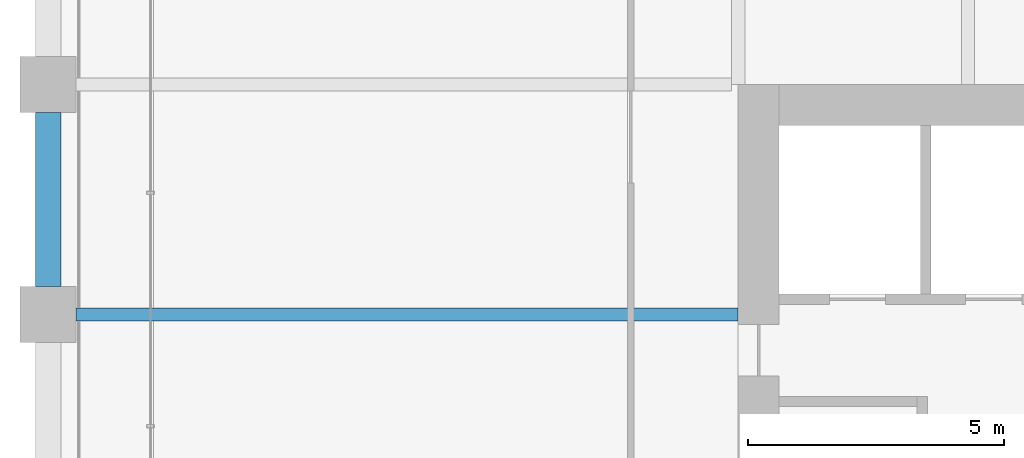
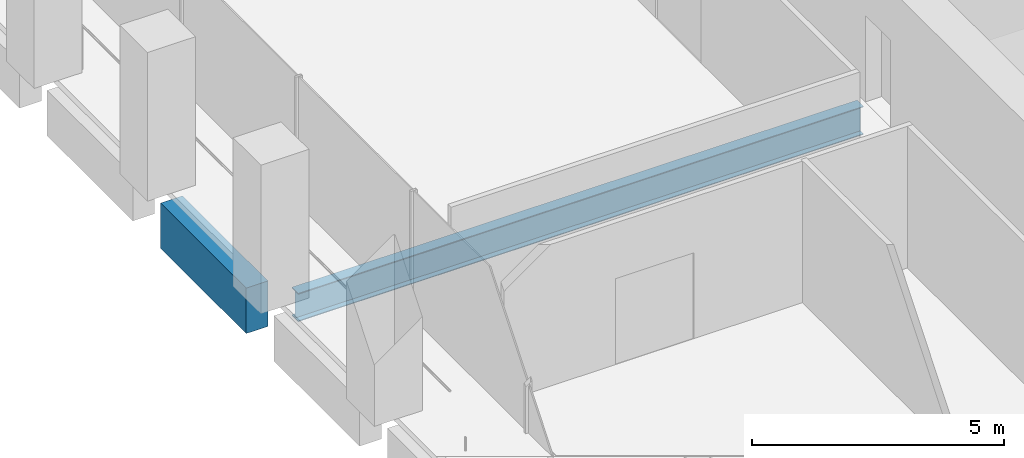
# One storey, part 13 of 54: 2 beams.
"""IFC4 building model written with IfcOpenShell, lengths in metres."""

from ifc_helpers import new_model, si_unit, direction, frame, origin, origin_2d, place, context, subcontext, project, spatial, rectangle, i_section, extrude, material, material_profile, profile_set, type_object, element, save


model = new_model("IFC4")

# Units and contexts
model_context = context("Model", 3, precision=1e-05, world=origin(), true_north=direction((0.0, 1.0)))
body_context = subcontext(model_context, "Body", "Model", "MODEL_VIEW")
ifc_project = project(units=[si_unit("LENGTHUNIT", "METRE"), si_unit("AREAUNIT", "SQUARE_METRE"), si_unit("VOLUMEUNIT", "CUBIC_METRE"), si_unit("PLANEANGLEUNIT", "RADIAN"), si_unit("MASSUNIT", "GRAM", prefix="KILO")], contexts=[model_context])

# Site, building, storey
site_placement = place(None, origin())
site = spatial("IfcSite", under=ifc_project, at=site_placement, CompositionType="ELEMENT")
building_placement = place(site_placement, origin())
building = spatial("IfcBuilding", under=site, at=building_placement, Name="Altepetl Exchange Towers", CompositionType="ELEMENT")
storey_placement = place(building_placement, frame((0.0, 0.0, 61.800048828125)))
storey = spatial("IfcBuildingStorey", under=building, at=storey_placement, Name="L14", CompositionType="ELEMENT", Elevation=61.800048828125)

# Beams
ifc_material_1 = material(Name="Steel S355", Category="steel")
ifc_material_profile_1 = material_profile(ifc_material_1, i_section(OverallWidth=0.25390625, OverallDepth=0.68408203125, WebThickness=0.012451171875, FlangeThickness=0.018798828125, at=origin_2d()), Name="W27X94")
ifc_profile_set_1 = profile_set([ifc_material_profile_1], Name="Steel S355")
beam_type_1 = type_object("IfcBeamType", Name="Floor beam W27X94", PredefinedType="BEAM", material=ifc_profile_set_1)
beam_1_placement = place(storey_placement, frame((27.550048828125, 54.0, -0.491943359375), z_axis=(1.0, 0.0, 0.0), x_axis=(0.0, 1.0, 0.0)))
element("IfcBeam", 1, at=beam_1_placement, inside=storey, type_object=beam_type_1, Name="bm:A:L14:020", PredefinedType="BEAM", context=body_context, shape_type="SweptSolid", body=[
    extrude(i_section(OverallWidth=0.25390625, OverallDepth=0.68408203125, WebThickness=0.012451171875, FlangeThickness=0.018798828125, at=origin_2d()), origin(), (0.0, 0.0, 1.0), 12.949951171875),
])
ifc_material_2 = material(Name="Concrete C50/60 precast with tezontle facing", Category="concrete")
ifc_material_profile_2 = material_profile(ifc_material_2, rectangle(XDim=0.5, YDim=1.10009765625, at=origin_2d()), Name="500 x 1100")
ifc_profile_set_2 = profile_set([ifc_material_profile_2], Name="Concrete C50/60 precast with tezontle facing")
beam_type_2 = type_object("IfcBeamType", Name="Spandrel beam 500x1100 tezontle", PredefinedType="SPANDREL", material=ifc_profile_set_2)
beam_2_placement = place(storey_placement, frame((27.0, 57.949951171875, -0.699951171875), z_axis=(0.0, -1.0, 0.0), x_axis=(1.0, 0.0, 0.0)))
element("IfcBeam", 2, at=beam_2_placement, inside=storey, type_object=beam_type_2, Name="sp:A:L14:038", PredefinedType="SPANDREL", context=body_context, shape_type="SweptSolid", body=[
    extrude(rectangle(XDim=0.5, YDim=1.10009765625, at=origin_2d()), origin(), (0.0, 0.0, 1.0), 3.39990234375),
])

save(model, "model.ifc")
